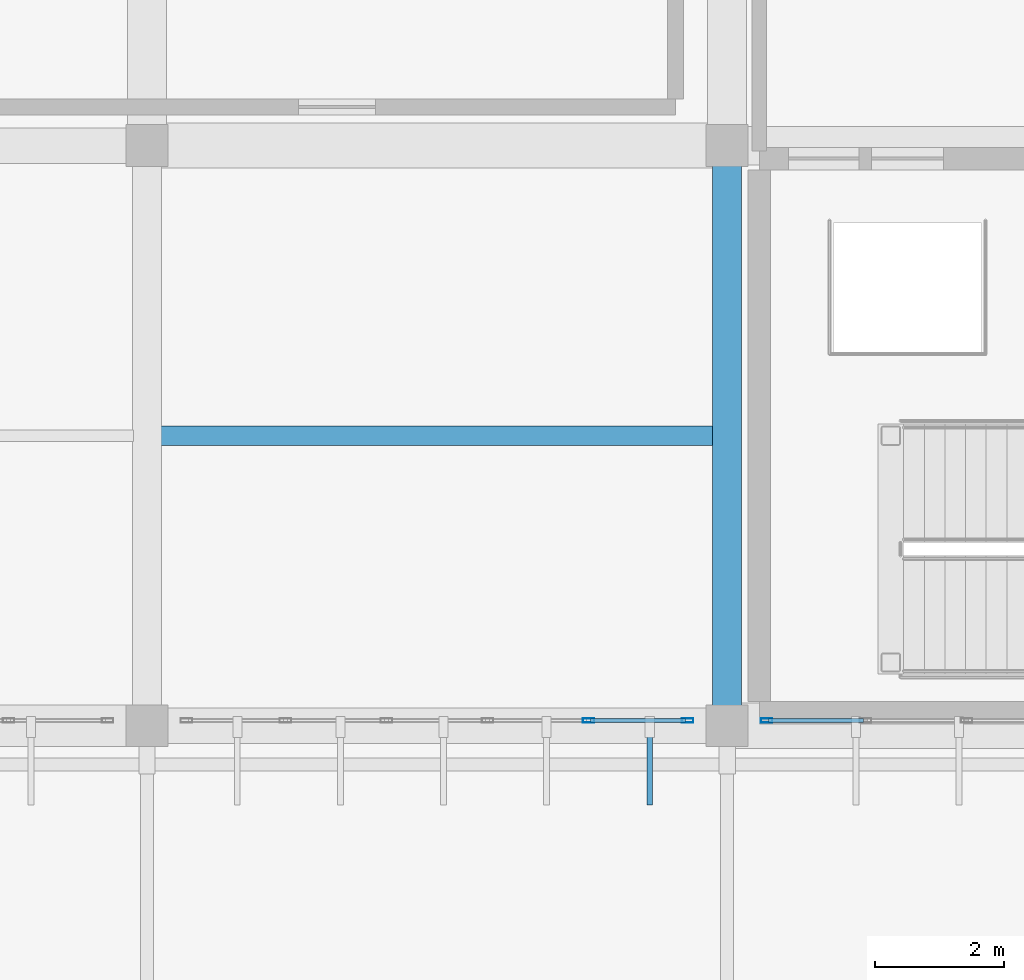
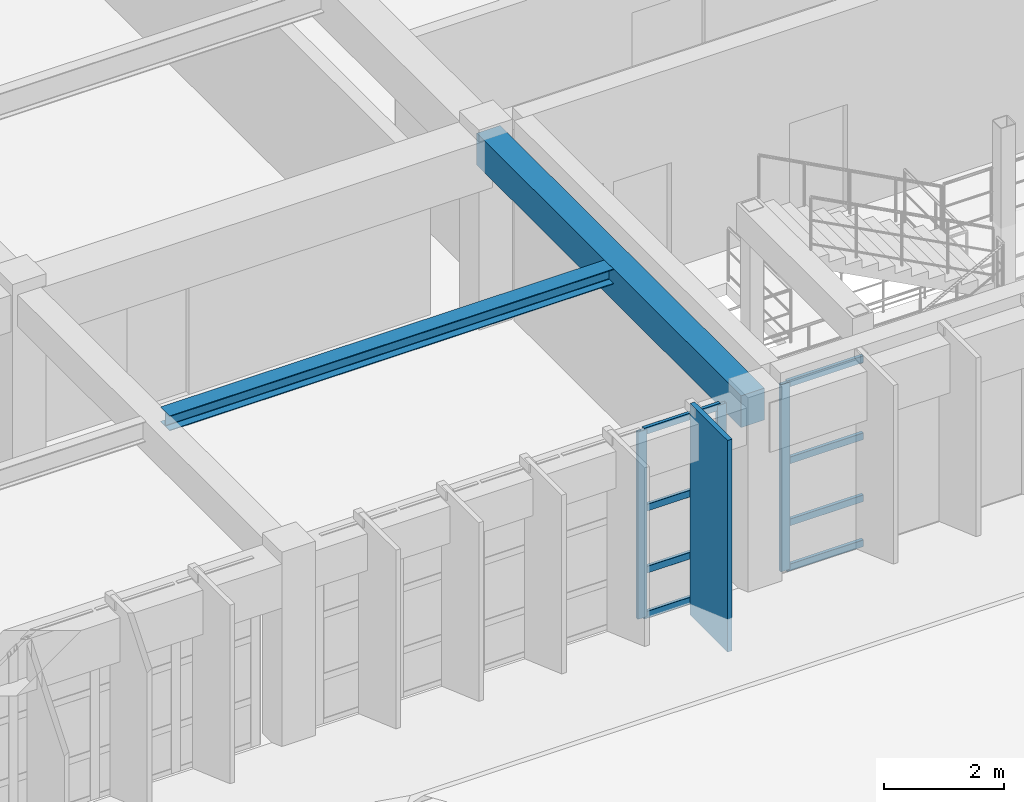
# One storey, part 21 of 80: 12 members, 2 beams, 2 elements without a shape of their own.
"""IFC4 building model written with IfcOpenShell, lengths in metres."""

from ifc_helpers import new_model, si_unit, direction, frame, origin, origin_2d, place, context, subcontext, project, spatial, rectangle, hollow_rectangle, i_section, extrude, material, material_profile, profile_set, type_object, element, aggregate, save


model = new_model("IFC4")

# Units and contexts
model_context = context("Model", 3, precision=1e-05, world=origin(), true_north=direction((0.0, 1.0)))
body_context = subcontext(model_context, "Body", "Model", "MODEL_VIEW")
ifc_project = project(units=[si_unit("LENGTHUNIT", "METRE"), si_unit("AREAUNIT", "SQUARE_METRE"), si_unit("VOLUMEUNIT", "CUBIC_METRE"), si_unit("PLANEANGLEUNIT", "RADIAN"), si_unit("MASSUNIT", "GRAM", prefix="KILO")], contexts=[model_context])

# Site, building, storey
site_placement = place(None, origin())
site = spatial("IfcSite", under=ifc_project, at=site_placement, CompositionType="ELEMENT")
building_placement = place(site_placement, origin())
building = spatial("IfcBuilding", under=site, at=building_placement, Name="Miravela Opera House", CompositionType="ELEMENT")
storey_placement = place(building_placement, frame((0.0, 0.0, 17.679931640625)))
storey = spatial("IfcBuildingStorey", under=building, at=storey_placement, Name="L04", CompositionType="ELEMENT", Elevation=17.679931640625)

# Curtain wall, members
ifc_material_1 = material(Name="Anodised architectural bronze aluminium 6063-T6", Category="aluminium")
curtain_wall_type = type_object("IfcCurtainWallType", Name="ARC-CW-02", PredefinedType="NOTDEFINED", material=ifc_material_1)
curtain_wall_1_placement = place(storey_placement, origin())
curtain_wall_1 = element("IfcCurtainWall", 1, at=curtain_wall_1_placement, inside=storey, type_object=curtain_wall_type, Name="Auditorium South Wrapper Glazing CW-L04-042", PredefinedType="NOTDEFINED")
ifc_material_profile_1 = material_profile(ifc_material_1, hollow_rectangle(XDim=0.06494140625, YDim=0.179931640625, WallThickness=0.00390625, InnerFilletRadius=0.001953125, OuterFilletRadius=0.00390625, at=origin_2d()), Name="CWM-65X180")
ifc_profile_set_1 = profile_set([ifc_material_profile_1])
member_type_1 = type_object("IfcMemberType", Name="ARC-CWM-180", PredefinedType="MULLION", material=ifc_profile_set_1)
member_1_placement = place(storey_placement, frame((42.85205078125, 37.080078125, 0.0), z_axis=(0.0, 0.0, 1.0), x_axis=(0.0, 1.0, 0.0)))
member_1 = element("IfcMember", 2, at=member_1_placement, type_object=member_type_1, Name="CW-02 mullion 5", PredefinedType="MULLION", context=body_context, shape_type="SweptSolid", body=[
    extrude(hollow_rectangle(XDim=0.06494140625, YDim=0.179931640625, WallThickness=0.00390625, InnerFilletRadius=0.001953125, OuterFilletRadius=0.00390625, at=origin_2d()), origin(), (0.0, 0.0, 1.0), 3.820068359375),
])
member_2_placement = place(storey_placement, frame((44.387451171875, 37.080078125, 0.0), z_axis=(0.0, 0.0, 1.0), x_axis=(0.0, 1.0, 0.0)))
member_2 = element("IfcMember", 3, at=member_2_placement, type_object=member_type_1, Name="CW-02 mullion 6", PredefinedType="MULLION", context=body_context, shape_type="SweptSolid", body=[
    extrude(hollow_rectangle(XDim=0.06494140625, YDim=0.179931640625, WallThickness=0.00390625, InnerFilletRadius=0.001953125, OuterFilletRadius=0.00390625, at=origin_2d()), origin(), (0.0, 0.0, 1.0), 3.820068359375),
])

# Curtain wall, member
curtain_wall_2_placement = place(storey_placement, origin())
curtain_wall_2 = element("IfcCurtainWall", 4, at=curtain_wall_2_placement, inside=storey, type_object=curtain_wall_type, Name="Auditorium South Wrapper Glazing CW-L04-044", PredefinedType="NOTDEFINED")
member_3_placement = place(storey_placement, frame((45.612548828125, 37.080078125, 0.0), z_axis=(0.0, 0.0, 1.0), x_axis=(0.0, 1.0, 0.0)))
member_3 = element("IfcMember", 5, at=member_3_placement, type_object=member_type_1, Name="CW-02 mullion 1", PredefinedType="MULLION", context=body_context, shape_type="SweptSolid", body=[
    extrude(hollow_rectangle(XDim=0.06494140625, YDim=0.179931640625, WallThickness=0.00390625, InnerFilletRadius=0.001953125, OuterFilletRadius=0.00390625, at=origin_2d()), origin(), (0.0, 0.0, 1.0), 3.820068359375),
])

# Member
ifc_material_profile_2 = material_profile(ifc_material_1, hollow_rectangle(XDim=0.06494140625, YDim=0.139892578125, WallThickness=0.00390625, InnerFilletRadius=0.001953125, OuterFilletRadius=0.00390625, at=origin_2d()), Name="CWT-65X140")
ifc_profile_set_2 = profile_set([ifc_material_profile_2])
member_type_2 = type_object("IfcMemberType", Name="ARC-CWT-140", PredefinedType="USERDEFINED", material=ifc_profile_set_2)
member_4_placement = place(storey_placement, frame((42.884521484375, 37.080078125, 0.032470703125), z_axis=(1.0, 0.0, 0.0), x_axis=(0.0, 1.0, 0.0)))
member_4 = element("IfcMember", 6, at=member_4_placement, type_object=member_type_2, Name="CW-02 transom 5.1", ObjectType="TRANSOM", PredefinedType="USERDEFINED", context=body_context, shape_type="SweptSolid", body=[
    extrude(hollow_rectangle(XDim=0.06494140625, YDim=0.139892578125, WallThickness=0.00390625, InnerFilletRadius=0.001953125, OuterFilletRadius=0.00390625, at=origin_2d()), origin(), (0.0, 0.0, 1.0), 1.470458984375),
])

member_5_placement = place(storey_placement, frame((42.884521484375, 37.080078125, 0.949951171875), z_axis=(1.0, 0.0, 0.0), x_axis=(0.0, 1.0, 0.0)))
member_5 = element("IfcMember", 7, at=member_5_placement, type_object=member_type_2, Name="CW-02 transom 5.2", ObjectType="TRANSOM", PredefinedType="USERDEFINED", context=body_context, shape_type="SweptSolid", body=[
    extrude(hollow_rectangle(XDim=0.06494140625, YDim=0.139892578125, WallThickness=0.00390625, InnerFilletRadius=0.001953125, OuterFilletRadius=0.00390625, at=origin_2d()), origin(), (0.0, 0.0, 1.0), 1.470458984375),
])

member_6_placement = place(storey_placement, frame((42.884521484375, 37.080078125, 2.215576171875), z_axis=(1.0, 0.0, 0.0), x_axis=(0.0, 1.0, 0.0)))
member_6 = element("IfcMember", 8, at=member_6_placement, type_object=member_type_2, Name="CW-02 transom 5.3", ObjectType="TRANSOM", PredefinedType="USERDEFINED", context=body_context, shape_type="SweptSolid", body=[
    extrude(hollow_rectangle(XDim=0.06494140625, YDim=0.139892578125, WallThickness=0.00390625, InnerFilletRadius=0.001953125, OuterFilletRadius=0.00390625, at=origin_2d()), origin(), (0.0, 0.0, 1.0), 1.470458984375),
])

member_7_placement = place(storey_placement, frame((42.884521484375, 37.080078125, 3.78759765625), z_axis=(1.0, 0.0, 0.0), x_axis=(0.0, 1.0, 0.0)))
member_7 = element("IfcMember", 9, at=member_7_placement, type_object=member_type_2, Name="CW-02 transom 5.4", ObjectType="TRANSOM", PredefinedType="USERDEFINED", context=body_context, shape_type="SweptSolid", body=[
    extrude(hollow_rectangle(XDim=0.06494140625, YDim=0.139892578125, WallThickness=0.00390625, InnerFilletRadius=0.001953125, OuterFilletRadius=0.00390625, at=origin_2d()), origin(), (0.0, 0.0, 1.0), 1.470458984375),
])

aggregate(curtain_wall_1, [member_1, member_2, member_4, member_5, member_6, member_7])

member_8_placement = place(storey_placement, frame((45.64501953125, 37.080078125, 0.032470703125), z_axis=(1.0, 0.0, 0.0), x_axis=(0.0, 1.0, 0.0)))
member_8 = element("IfcMember", 10, at=member_8_placement, type_object=member_type_2, Name="CW-02 transom 1.1", ObjectType="TRANSOM", PredefinedType="USERDEFINED", context=body_context, shape_type="SweptSolid", body=[
    extrude(hollow_rectangle(XDim=0.06494140625, YDim=0.139892578125, WallThickness=0.00390625, InnerFilletRadius=0.001953125, OuterFilletRadius=0.00390625, at=origin_2d()), origin(), (0.0, 0.0, 1.0), 1.470458984375),
])

member_9_placement = place(storey_placement, frame((45.64501953125, 37.080078125, 0.949951171875), z_axis=(1.0, 0.0, 0.0), x_axis=(0.0, 1.0, 0.0)))
member_9 = element("IfcMember", 11, at=member_9_placement, type_object=member_type_2, Name="CW-02 transom 1.2", ObjectType="TRANSOM", PredefinedType="USERDEFINED", context=body_context, shape_type="SweptSolid", body=[
    extrude(hollow_rectangle(XDim=0.06494140625, YDim=0.139892578125, WallThickness=0.00390625, InnerFilletRadius=0.001953125, OuterFilletRadius=0.00390625, at=origin_2d()), origin(), (0.0, 0.0, 1.0), 1.470458984375),
])

member_10_placement = place(storey_placement, frame((45.64501953125, 37.080078125, 2.215576171875), z_axis=(1.0, 0.0, 0.0), x_axis=(0.0, 1.0, 0.0)))
member_10 = element("IfcMember", 12, at=member_10_placement, type_object=member_type_2, Name="CW-02 transom 1.3", ObjectType="TRANSOM", PredefinedType="USERDEFINED", context=body_context, shape_type="SweptSolid", body=[
    extrude(hollow_rectangle(XDim=0.06494140625, YDim=0.139892578125, WallThickness=0.00390625, InnerFilletRadius=0.001953125, OuterFilletRadius=0.00390625, at=origin_2d()), origin(), (0.0, 0.0, 1.0), 1.470458984375),
])

member_11_placement = place(storey_placement, frame((45.64501953125, 37.080078125, 3.78759765625), z_axis=(1.0, 0.0, 0.0), x_axis=(0.0, 1.0, 0.0)))
member_11 = element("IfcMember", 13, at=member_11_placement, type_object=member_type_2, Name="CW-02 transom 1.4", ObjectType="TRANSOM", PredefinedType="USERDEFINED", context=body_context, shape_type="SweptSolid", body=[
    extrude(hollow_rectangle(XDim=0.06494140625, YDim=0.139892578125, WallThickness=0.00390625, InnerFilletRadius=0.001953125, OuterFilletRadius=0.00390625, at=origin_2d()), origin(), (0.0, 0.0, 1.0), 1.470458984375),
])

aggregate(curtain_wall_2, [member_3, member_8, member_9, member_10, member_11])

ifc_material_profile_3 = material_profile(ifc_material_1, rectangle(XDim=0.090087890625, YDim=1.25, at=origin_2d()), Name="FIN-1250X90")
ifc_profile_set_3 = profile_set([ifc_material_profile_3])
member_type_3 = type_object("IfcMemberType", Name="ARC-FIN-1250", PredefinedType="USERDEFINED", material=ifc_profile_set_3)
member_12_placement = place(storey_placement, frame((43.800048828125, 36.39501953125, -0.239990234375), z_axis=(0.0, 0.0, 1.0), x_axis=(1.0, 0.0, 0.0)))
element("IfcMember", 14, at=member_12_placement, inside=storey, type_object=member_type_3, Name="Auditorium Wrapper Bronze Solar Fin FIN-L04-SOUTH-0128", ObjectType="FIN", PredefinedType="USERDEFINED", context=body_context, shape_type="SweptSolid", body=[
    extrude(rectangle(XDim=0.090087890625, YDim=1.25, at=origin_2d()), origin(), (0.0, 0.0, 1.0), 4.320068359375),
])

# Beams
ifc_material_2 = material(Name="Concrete C35/45", Category="concrete")
ifc_material_profile_4 = material_profile(ifc_material_2, rectangle(XDim=0.449951171875, YDim=0.64990234375, at=origin_2d()), Name="RC-BM-450X650")
ifc_profile_set_4 = profile_set([ifc_material_profile_4])
beam_type_1 = type_object("IfcBeamType", Name="STR-BM-RC450X650", PredefinedType="BEAM", material=ifc_profile_set_4)
beam_1_placement = place(storey_placement, frame((45.0, 37.080078125, 3.51513671875), z_axis=(0.0, 1.0, 0.0), x_axis=(-1.0, 0.0, 0.0)))
element("IfcBeam", 15, at=beam_1_placement, inside=storey, type_object=beam_type_1, Name="Floor Girder L04 6/E-F", PredefinedType="BEAM", context=body_context, shape_type="SweptSolid", body=[
    extrude(rectangle(XDim=0.449951171875, YDim=0.64990234375, at=origin_2d()), origin(), (0.0, 0.0, 1.0), 8.83984375),
])
ifc_material_3 = material(Name="Structural steel ASTM A992 Gr. 50", Category="steel")
ifc_material_profile_5 = material_profile(ifc_material_3, i_section(OverallWidth=0.304931640625, OverallDepth=0.30810546875, WebThickness=0.010009765625, FlangeThickness=0.015380859375, FilletRadius=0.013916015625, at=origin_2d()), Name="W310X97")
ifc_profile_set_5 = profile_set([ifc_material_profile_5])
beam_type_2 = type_object("IfcBeamType", Name="STR-BM-W310X97", PredefinedType="JOIST", material=ifc_profile_set_5)
beam_2_placement = place(storey_placement, frame((36.2099609375, 41.5, 3.68603515625), z_axis=(1.0, 0.0, 0.0), x_axis=(0.0, 1.0, 0.0)))
element("IfcBeam", 16, at=beam_2_placement, inside=storey, type_object=beam_type_2, Name="Secondary Floor Joist L04 5-6/E-F", PredefinedType="JOIST", context=body_context, shape_type="SweptSolid", body=[
    extrude(i_section(OverallWidth=0.304931640625, OverallDepth=0.30810546875, WebThickness=0.010009765625, FlangeThickness=0.015380859375, FilletRadius=0.013916015625, at=origin_2d()), origin(), (0.0, 0.0, 1.0), 8.580078125),
])

save(model, "model.ifc")
